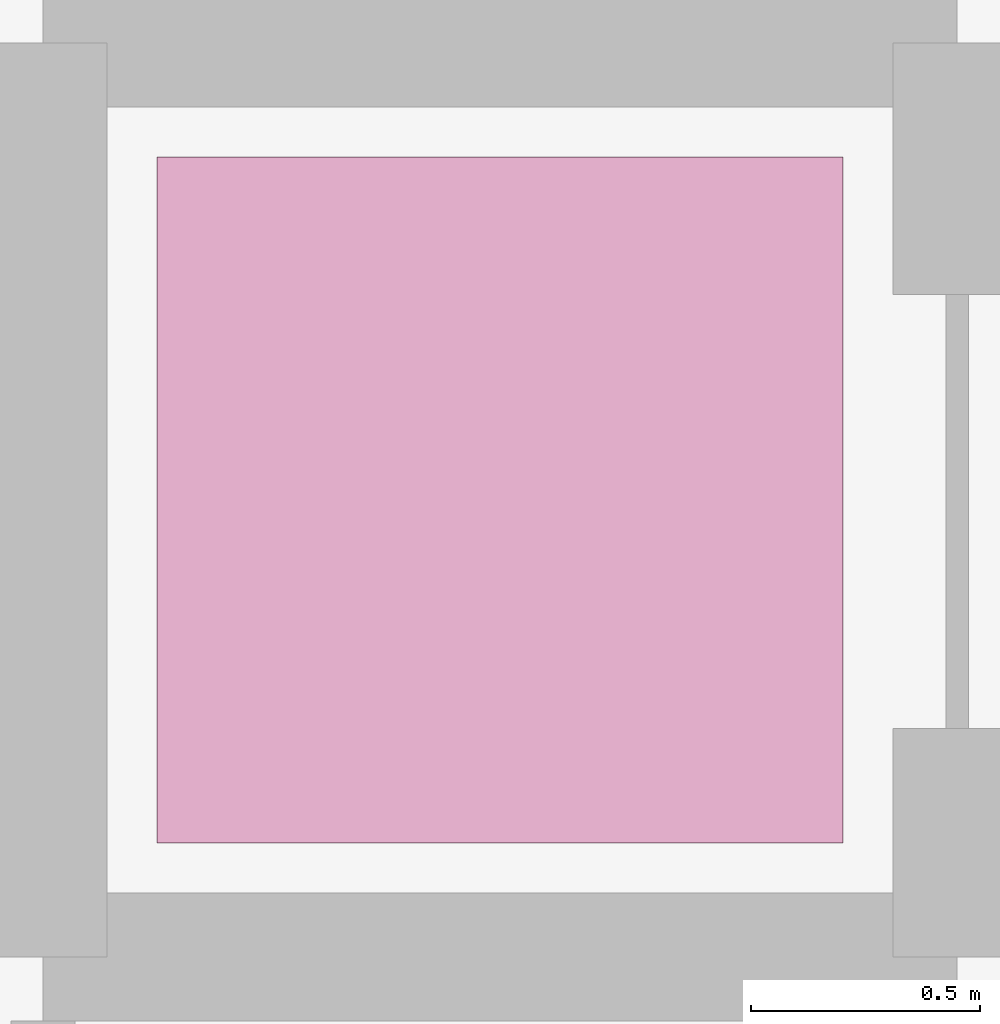
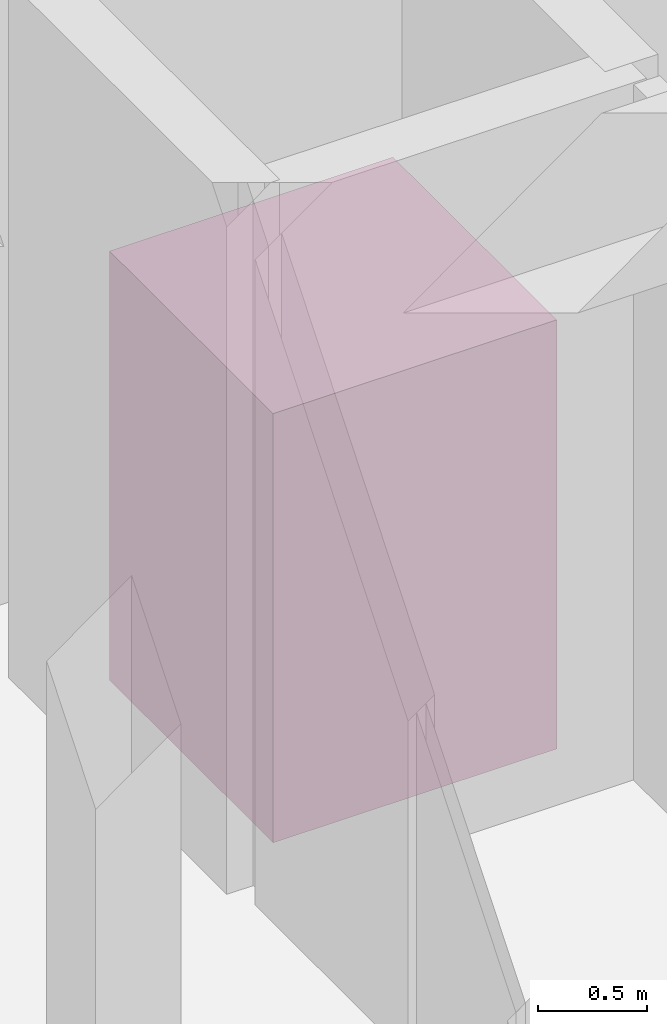
# One storey, part 114 of 114: 1 transport element.
"""IFC4 building model written with IfcOpenShell, lengths in metres."""

from ifc_helpers import new_model, si_unit, direction, frame, origin, origin_2d, place, context, subcontext, project, spatial, rectangle, extrude, material, type_object, element, save


model = new_model("IFC4")

# Units and contexts
model_context = context("Model", 3, precision=1e-05, world=origin(), true_north=direction((0.0, 1.0)))
body_context = subcontext(model_context, "Body", "Model", "MODEL_VIEW")
ifc_project = project(units=[si_unit("LENGTHUNIT", "METRE"), si_unit("AREAUNIT", "SQUARE_METRE"), si_unit("VOLUMEUNIT", "CUBIC_METRE"), si_unit("PLANEANGLEUNIT", "RADIAN"), si_unit("MASSUNIT", "GRAM", prefix="KILO")], contexts=[model_context])

# Site, building, storey
site_placement = place(None, origin())
site = spatial("IfcSite", under=ifc_project, at=site_placement, CompositionType="ELEMENT")
building_placement = place(site_placement, origin())
building = spatial("IfcBuilding", under=site, at=building_placement, Name="Keldmere Railside Commons", CompositionType="ELEMENT")
storey_placement = place(building_placement, origin())
storey = spatial("IfcBuildingStorey", under=building, at=storey_placement, Name="L00", CompositionType="ELEMENT", Elevation=0.0)

# Transport element
ifc_material = material(Name="Steel F-24 (S235)", Category="steel")
transport_element_type = type_object("IfcTransportElementType", Name="Accessible Passenger Lift Car 1500x1500", PredefinedType="ELEVATOR", material=ifc_material)
transport_element_placement = place(storey_placement, frame((19.0, 25.199951171875, 0.0), z_axis=(0.0, 0.0, 1.0), x_axis=(1.0, 0.0, 0.0)))
element("IfcTransportElement", 1, at=transport_element_placement, inside=storey, type_object=transport_element_type, Name="Lift PL-N1", PredefinedType="ELEVATOR", context=body_context, shape_type="SweptSolid", body=[
    extrude(rectangle(XDim=1.5, YDim=1.5, at=origin_2d()), origin(), (0.0, 0.0, 1.0), 2.39990234375),
])

save(model, "model.ifc")
